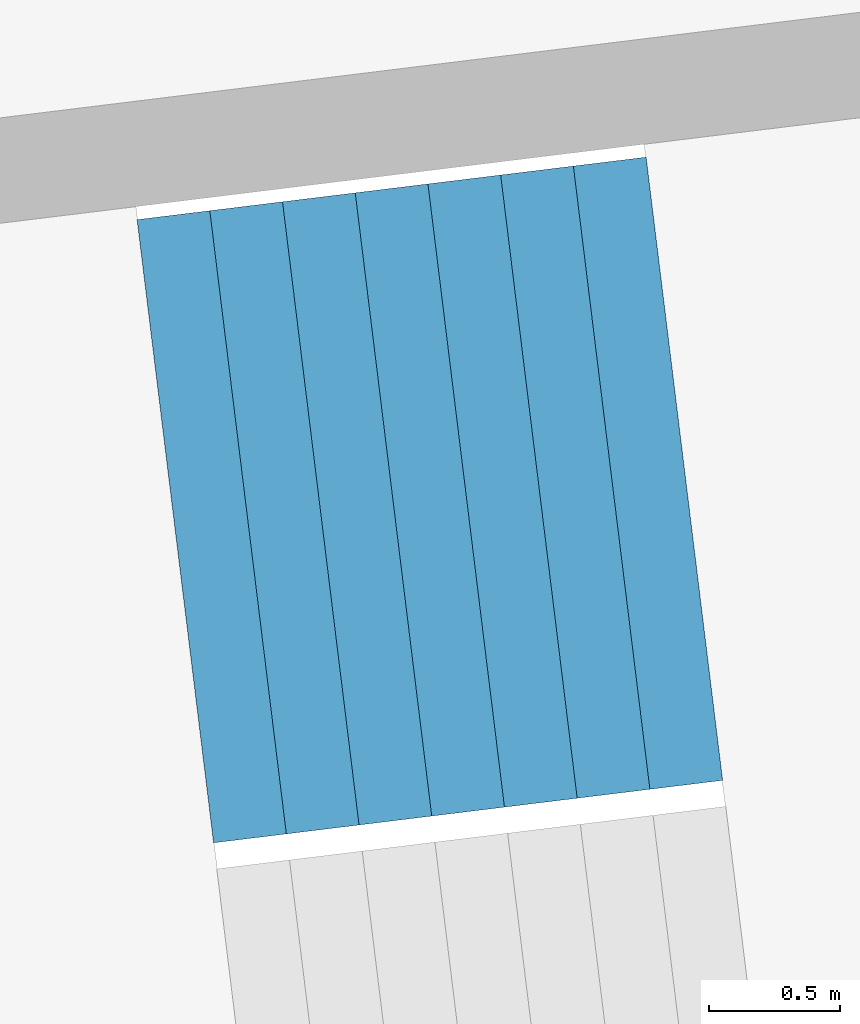
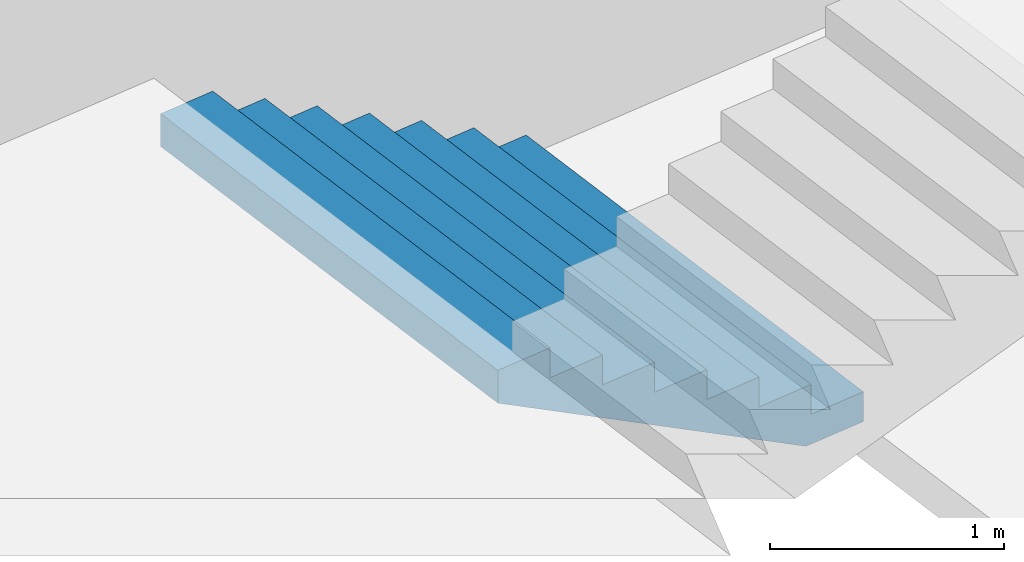
# One storey, part 25 of 73: 1 stair flight, 1 element without a shape of its own.
"""IFC4 building model written with IfcOpenShell, lengths in metres."""

from ifc_helpers import new_model, si_unit, direction, frame, origin, place, context, subcontext, project, spatial, triangles, material, type_object, element, aggregate, save


model = new_model("IFC4")

# Units and contexts
model_context = context("Model", 3, precision=1e-05, world=origin(), true_north=direction((0.0, 1.0)))
body_context = subcontext(model_context, "Body", "Model", "MODEL_VIEW")
ifc_project = project(units=[si_unit("LENGTHUNIT", "METRE"), si_unit("AREAUNIT", "SQUARE_METRE"), si_unit("VOLUMEUNIT", "CUBIC_METRE"), si_unit("PLANEANGLEUNIT", "RADIAN"), si_unit("MASSUNIT", "GRAM", prefix="KILO")], contexts=[model_context])

# Site, building, storey
site_placement = place(None, origin())
site = spatial("IfcSite", under=ifc_project, at=site_placement, CompositionType="ELEMENT")
building_placement = place(site_placement, origin())
building = spatial("IfcBuilding", under=site, at=building_placement, Name="Lantaw Convention Tower", CompositionType="ELEMENT")
storey_placement = place(building_placement, frame((0.0, 0.0, 22.0)))
storey = spatial("IfcBuildingStorey", under=building, at=storey_placement, Name="L03", CompositionType="ELEMENT", Elevation=22.0)

# Stair, stair flight
ifc_material = material(Name="Concrete C35/45", Category="concrete")
stair_type = type_object("IfcStairType", Name="Exit stair 2400 riser 156.25 in 4 flights", PredefinedType="HALF_TURN_STAIR", material=ifc_material)
stair_placement = place(storey_placement, origin())
stair = element("IfcStair", 1, at=stair_placement, inside=storey, type_object=stair_type, Name="Podium exit stair P10 L03", PredefinedType="HALF_TURN_STAIR")
stair_flight_type = type_object("IfcStairFlightType", Name="Stair flight 2400 riser 156.25", PredefinedType="STRAIGHT", material=ifc_material)
stair_flight_placement = place(storey_placement, frame((-35.162109375, -3.057861328125, 0.0), z_axis=(0.0, 0.0, 1.0), x_axis=(-0.992546151641, -0.121869343405, 0.0)))
stair_flight = element("IfcStairFlight", 2, at=stair_flight_placement, type_object=stair_flight_type, Name="P10 flight 1", NumberOfRisers=8, NumberOfTreads=7, PredefinedType="STRAIGHT", RiserHeight=0.15625, TreadLength=0.28, context=body_context, shape_type="Tessellation", body=[
    triangles([(0.0, 1.199951171875, 0.0), (0.0, 1.199951171875, 0.15625), (0.28, 1.199951171875, 0.0), (0.28, 1.199951171875, 0.15625), (0.28, 1.199951171875, 0.3125), (0.3076200632058044, 1.199951171875, 0.0), (0.3076200632058044, 1.199951171875, 0.3125), (0.56, 1.199951171875, 0.14083701830033238), (0.56, 1.199951171875, 0.3125), (0.56, 1.199951171875, 0.46875), (0.8400000000000001, 1.199951171875, 0.29708701830033235), (0.8400000000000001, 1.199951171875, 0.46875), (0.8400000000000001, 1.199951171875, 0.625), (1.12, 1.199951171875, 0.45333701830033235), (1.12, 1.199951171875, 0.625), (1.12, 1.199951171875, 0.78125), (1.4000000000000001, 1.199951171875, 0.6095870183003324), (1.4000000000000001, 1.199951171875, 0.78125), (1.4000000000000001, 1.199951171875, 0.9375), (1.6800000000000002, 1.199951171875, 0.7658370183003324), (1.6800000000000002, 1.199951171875, 0.9375), (1.6800000000000002, 1.199951171875, 1.09375), (1.9600000000000002, 1.199951171875, 0.9220870183003324), (1.9600000000000002, 1.199951171875, 1.09375), (0.0, -1.199951171875, 0.0), (0.0, -1.199951171875, 0.15625), (0.28, -1.199951171875, 0.0), (0.28, -1.199951171875, 0.15625), (0.28, -1.199951171875, 0.3125), (0.3076200632058044, -1.199951171875, 0.0), (0.3076200632058044, -1.199951171875, 0.3125), (0.56, -1.199951171875, 0.14083701830033238), (0.56, -1.199951171875, 0.3125), (0.56, -1.199951171875, 0.46875), (0.8400000000000001, -1.199951171875, 0.29708701830033235), (0.8400000000000001, -1.199951171875, 0.46875), (0.8400000000000001, -1.199951171875, 0.625), (1.12, -1.199951171875, 0.45333701830033235), (1.12, -1.199951171875, 0.625), (1.12, -1.199951171875, 0.78125), (1.4000000000000001, -1.199951171875, 0.6095870183003324), (1.4000000000000001, -1.199951171875, 0.78125), (1.4000000000000001, -1.199951171875, 0.9375), (1.6800000000000002, -1.199951171875, 0.7658370183003324), (1.6800000000000002, -1.199951171875, 0.9375), (1.6800000000000002, -1.199951171875, 1.09375), (1.9600000000000002, -1.199951171875, 0.9220870183003324), (1.9600000000000002, -1.199951171875, 1.09375), (0.0, 0.239990234375, 0.15625), (0.0, 0.239990234375, 0.0), (0.0, 0.1919921875, 0.15625), (0.0, 0.1919921875, 0.0), (0.0, 0.143994140625, 0.15625), (0.0, 0.143994140625, 0.0), (0.0, 0.09599609375, 0.15625), (0.0, 0.09599609375, 0.0), (0.0, 0.047998046875, 0.15625), (0.0, 0.047998046875, 0.0), (0.0, 0.0, 0.15625), (0.0, 0.0, 0.0), (0.0, -0.047998046875, 0.15625), (0.0, -0.047998046875, 0.0), (0.0, -0.09599609375, 0.15625), (0.0, -0.09599609375, 0.0), (0.0, -0.143994140625, 0.15625), (0.0, -0.143994140625, 0.0), (0.0, -0.1919921875, 0.15625), (0.0, -0.1919921875, 0.0), (0.0, -0.239990234375, 0.15625), (0.0, -0.239990234375, 0.0), (0.28, 0.239990234375, 0.3125), (0.28, 0.239990234375, 0.15625), (0.28, 0.1919921875, 0.3125), (0.28, 0.1919921875, 0.15625), (0.28, 0.143994140625, 0.3125), (0.28, 0.143994140625, 0.15625), (0.28, 0.09599609375, 0.3125), (0.28, 0.09599609375, 0.15625), (0.28, 0.047998046875, 0.3125), (0.28, 0.047998046875, 0.15625), (0.28, 0.0, 0.3125), (0.28, 0.0, 0.15625), (0.28, -0.047998046875, 0.3125), (0.28, -0.047998046875, 0.15625), (0.28, -0.09599609375, 0.3125), (0.28, -0.09599609375, 0.15625), (0.28, -0.143994140625, 0.3125), (0.28, -0.143994140625, 0.15625), (0.28, -0.1919921875, 0.3125), (0.28, -0.1919921875, 0.15625), (0.28, -0.239990234375, 0.3125), (0.28, -0.239990234375, 0.15625), (0.56, 0.239990234375, 0.46875), (0.56, 0.239990234375, 0.3125), (0.56, 0.1919921875, 0.46875), (0.56, 0.1919921875, 0.3125), (0.56, 0.143994140625, 0.46875), (0.56, 0.143994140625, 0.3125), (0.56, 0.09599609375, 0.46875), (0.56, 0.09599609375, 0.3125), (0.56, 0.047998046875, 0.46875), (0.56, 0.047998046875, 0.3125), (0.56, 0.0, 0.46875), (0.56, 0.0, 0.3125), (0.56, -0.047998046875, 0.46875), (0.56, -0.047998046875, 0.3125), (0.56, -0.09599609375, 0.46875), (0.56, -0.09599609375, 0.3125), (0.56, -0.143994140625, 0.46875), (0.56, -0.143994140625, 0.3125), (0.56, -0.1919921875, 0.46875), (0.56, -0.1919921875, 0.3125), (0.56, -0.239990234375, 0.46875), (0.56, -0.239990234375, 0.3125), (0.8400000000000001, 0.239990234375, 0.625), (0.8400000000000001, 0.239990234375, 0.46875), (0.8400000000000001, 0.1919921875, 0.625), (0.8400000000000001, 0.1919921875, 0.46875), (0.8400000000000001, 0.143994140625, 0.625), (0.8400000000000001, 0.143994140625, 0.46875), (0.8400000000000001, 0.09599609375, 0.625), (0.8400000000000001, 0.09599609375, 0.46875), (0.8400000000000001, 0.047998046875, 0.625), (0.8400000000000001, 0.047998046875, 0.46875), (0.8400000000000001, 0.0, 0.625), (0.8400000000000001, 0.0, 0.46875), (0.8400000000000001, -0.047998046875, 0.625), (0.8400000000000001, -0.047998046875, 0.46875), (0.8400000000000001, -0.09599609375, 0.625), (0.8400000000000001, -0.09599609375, 0.46875), (0.8400000000000001, -0.143994140625, 0.625), (0.8400000000000001, -0.143994140625, 0.46875), (0.8400000000000001, -0.1919921875, 0.625), (0.8400000000000001, -0.1919921875, 0.46875), (0.8400000000000001, -0.239990234375, 0.625), (0.8400000000000001, -0.239990234375, 0.46875), (1.12, 0.239990234375, 0.78125), (1.12, 0.239990234375, 0.625), (1.12, 0.1919921875, 0.78125), (1.12, 0.1919921875, 0.625), (1.12, 0.143994140625, 0.78125), (1.12, 0.143994140625, 0.625), (1.12, 0.09599609375, 0.78125), (1.12, 0.09599609375, 0.625), (1.12, 0.047998046875, 0.78125), (1.12, 0.047998046875, 0.625), (1.12, 0.0, 0.78125), (1.12, 0.0, 0.625), (1.12, -0.047998046875, 0.78125), (1.12, -0.047998046875, 0.625), (1.12, -0.09599609375, 0.78125), (1.12, -0.09599609375, 0.625), (1.12, -0.143994140625, 0.78125), (1.12, -0.143994140625, 0.625), (1.12, -0.1919921875, 0.78125), (1.12, -0.1919921875, 0.625), (1.12, -0.239990234375, 0.78125), (1.12, -0.239990234375, 0.625), (1.4000000000000001, 0.239990234375, 0.9375), (1.4000000000000001, 0.239990234375, 0.78125), (1.4000000000000001, 0.1919921875, 0.9375), (1.4000000000000001, 0.1919921875, 0.78125), (1.4000000000000001, 0.143994140625, 0.9375), (1.4000000000000001, 0.143994140625, 0.78125), (1.4000000000000001, 0.09599609375, 0.9375), (1.4000000000000001, 0.09599609375, 0.78125), (1.4000000000000001, 0.047998046875, 0.9375), (1.4000000000000001, 0.047998046875, 0.78125), (1.4000000000000001, 0.0, 0.9375), (1.4000000000000001, 0.0, 0.78125), (1.4000000000000001, -0.047998046875, 0.9375), (1.4000000000000001, -0.047998046875, 0.78125), (1.4000000000000001, -0.09599609375, 0.9375), (1.4000000000000001, -0.09599609375, 0.78125), (1.4000000000000001, -0.143994140625, 0.9375), (1.4000000000000001, -0.143994140625, 0.78125), (1.4000000000000001, -0.1919921875, 0.9375), (1.4000000000000001, -0.1919921875, 0.78125), (1.4000000000000001, -0.239990234375, 0.9375), (1.4000000000000001, -0.239990234375, 0.78125), (1.6800000000000002, 0.239990234375, 1.09375), (1.6800000000000002, 0.239990234375, 0.9375), (1.6800000000000002, 0.1919921875, 1.09375), (1.6800000000000002, 0.1919921875, 0.9375), (1.6800000000000002, 0.143994140625, 1.09375), (1.6800000000000002, 0.143994140625, 0.9375), (1.6800000000000002, 0.09599609375, 1.09375), (1.6800000000000002, 0.09599609375, 0.9375), (1.6800000000000002, 0.047998046875, 1.09375), (1.6800000000000002, 0.047998046875, 0.9375), (1.6800000000000002, 0.0, 1.09375), (1.6800000000000002, 0.0, 0.9375), (1.6800000000000002, -0.047998046875, 1.09375), (1.6800000000000002, -0.047998046875, 0.9375), (1.6800000000000002, -0.09599609375, 1.09375), (1.6800000000000002, -0.09599609375, 0.9375), (1.6800000000000002, -0.143994140625, 1.09375), (1.6800000000000002, -0.143994140625, 0.9375), (1.6800000000000002, -0.1919921875, 1.09375), (1.6800000000000002, -0.1919921875, 0.9375), (1.6800000000000002, -0.239990234375, 1.09375), (1.6800000000000002, -0.239990234375, 0.9375), (0.3076200632058044, 0.239990234375, 0.3125), (0.3076200632058044, 0.1919921875, 0.3125), (0.3076200632058044, 0.143994140625, 0.3125), (0.3076200632058044, 0.09599609375, 0.3125), (0.3076200632058044, 0.047998046875, 0.3125), (0.3076200632058044, 0.0, 0.3125), (0.3076200632058044, -0.047998046875, 0.3125), (0.3076200632058044, -0.09599609375, 0.3125), (0.3076200632058044, -0.143994140625, 0.3125), (0.3076200632058044, -0.1919921875, 0.3125), (0.3076200632058044, -0.239990234375, 0.3125), (1.9600000000000002, 0.239990234375, 1.09375), (1.9600000000000002, 0.1919921875, 1.09375), (1.9600000000000002, 0.143994140625, 1.09375), (1.9600000000000002, 0.09599609375, 1.09375), (1.9600000000000002, 0.047998046875, 1.09375), (1.9600000000000002, 0.0, 1.09375), (1.9600000000000002, -0.047998046875, 1.09375), (1.9600000000000002, -0.09599609375, 1.09375), (1.9600000000000002, -0.143994140625, 1.09375), (1.9600000000000002, -0.1919921875, 1.09375), (1.9600000000000002, -0.239990234375, 1.09375), (1.9600000000000002, 0.239990234375, 0.9220870183003324), (1.9600000000000002, 0.1919921875, 0.9220870183003324), (1.9600000000000002, 0.143994140625, 0.9220870183003324), (1.9600000000000002, 0.09599609375, 0.9220870183003324), (1.9600000000000002, 0.047998046875, 0.9220870183003324), (1.9600000000000002, 0.0, 0.9220870183003324), (1.9600000000000002, -0.047998046875, 0.9220870183003324), (1.9600000000000002, -0.09599609375, 0.9220870183003324), (1.9600000000000002, -0.143994140625, 0.9220870183003324), (1.9600000000000002, -0.1919921875, 0.9220870183003324), (1.9600000000000002, -0.239990234375, 0.9220870183003324), (1.6800000000000002, 0.239990234375, 0.7658370183003324), (1.6800000000000002, 0.1919921875, 0.7658370183003324), (1.6800000000000002, 0.143994140625, 0.7658370183003324), (1.6800000000000002, 0.09599609375, 0.7658370183003324), (1.6800000000000002, 0.047998046875, 0.7658370183003324), (1.6800000000000002, 0.0, 0.7658370183003324), (1.6800000000000002, -0.047998046875, 0.7658370183003324), (1.6800000000000002, -0.09599609375, 0.7658370183003324), (1.6800000000000002, -0.143994140625, 0.7658370183003324), (1.6800000000000002, -0.1919921875, 0.7658370183003324), (1.6800000000000002, -0.239990234375, 0.7658370183003324), (1.4000000000000001, 0.239990234375, 0.6095870183003324), (1.4000000000000001, 0.1919921875, 0.6095870183003324), (1.4000000000000001, 0.143994140625, 0.6095870183003324), (1.4000000000000001, 0.09599609375, 0.6095870183003324), (1.4000000000000001, 0.047998046875, 0.6095870183003324), (1.4000000000000001, 0.0, 0.6095870183003324), (1.4000000000000001, -0.047998046875, 0.6095870183003324), (1.4000000000000001, -0.09599609375, 0.6095870183003324), (1.4000000000000001, -0.143994140625, 0.6095870183003324), (1.4000000000000001, -0.1919921875, 0.6095870183003324), (1.4000000000000001, -0.239990234375, 0.6095870183003324), (1.12, 0.239990234375, 0.45333701830033235), (1.12, 0.1919921875, 0.45333701830033235), (1.12, 0.143994140625, 0.45333701830033235), (1.12, 0.09599609375, 0.45333701830033235), (1.12, 0.047998046875, 0.45333701830033235), (1.12, 0.0, 0.45333701830033235), (1.12, -0.047998046875, 0.45333701830033235), (1.12, -0.09599609375, 0.45333701830033235), (1.12, -0.143994140625, 0.45333701830033235), (1.12, -0.1919921875, 0.45333701830033235), (1.12, -0.239990234375, 0.45333701830033235), (0.8400000000000001, 0.239990234375, 0.29708701830033235), (0.8400000000000001, 0.1919921875, 0.29708701830033235), (0.8400000000000001, 0.143994140625, 0.29708701830033235), (0.8400000000000001, 0.09599609375, 0.29708701830033235), (0.8400000000000001, 0.047998046875, 0.29708701830033235), (0.8400000000000001, 0.0, 0.29708701830033235), (0.8400000000000001, -0.047998046875, 0.29708701830033235), (0.8400000000000001, -0.09599609375, 0.29708701830033235), (0.8400000000000001, -0.143994140625, 0.29708701830033235), (0.8400000000000001, -0.1919921875, 0.29708701830033235), (0.8400000000000001, -0.239990234375, 0.29708701830033235), (0.56, 0.239990234375, 0.14083701830033238), (0.56, 0.1919921875, 0.14083701830033238), (0.56, 0.143994140625, 0.14083701830033238), (0.56, 0.09599609375, 0.14083701830033238), (0.56, 0.047998046875, 0.14083701830033238), (0.56, 0.0, 0.14083701830033238), (0.56, -0.047998046875, 0.14083701830033238), (0.56, -0.09599609375, 0.14083701830033238), (0.56, -0.143994140625, 0.14083701830033238), (0.56, -0.1919921875, 0.14083701830033238), (0.56, -0.239990234375, 0.14083701830033238), (0.3076200632058044, 0.239990234375, 0.0), (0.3076200632058044, 0.1919921875, 0.0), (0.3076200632058044, 0.143994140625, 0.0), (0.3076200632058044, 0.09599609375, 0.0), (0.3076200632058044, 0.047998046875, 0.0), (0.3076200632058044, 0.0, 0.0), (0.3076200632058044, -0.047998046875, 0.0), (0.3076200632058044, -0.09599609375, 0.0), (0.3076200632058044, -0.143994140625, 0.0), (0.3076200632058044, -0.1919921875, 0.0), (0.3076200632058044, -0.239990234375, 0.0), (0.28, 0.239990234375, 0.0), (0.28, 0.1919921875, 0.0), (0.28, 0.143994140625, 0.0), (0.28, 0.09599609375, 0.0), (0.28, 0.047998046875, 0.0), (0.28, 0.0, 0.0), (0.28, -0.047998046875, 0.0), (0.28, -0.09599609375, 0.0), (0.28, -0.143994140625, 0.0), (0.28, -0.1919921875, 0.0), (0.28, -0.239990234375, 0.0)], [[1, 4, 3], [1, 2, 4], [3, 4, 6], [4, 7, 6], [4, 5, 7], [6, 9, 8], [6, 7, 9], [8, 9, 11], [9, 12, 11], [9, 10, 12], [11, 12, 14], [12, 15, 14], [12, 13, 15], [14, 15, 17], [15, 18, 17], [15, 16, 18], [17, 18, 20], [18, 21, 20], [18, 19, 21], [20, 21, 23], [21, 24, 23], [21, 22, 24], [25, 27, 28], [25, 28, 26], [27, 30, 28], [28, 30, 31], [28, 31, 29], [30, 32, 33], [30, 33, 31], [32, 35, 33], [33, 35, 36], [33, 36, 34], [35, 38, 36], [36, 38, 39], [36, 39, 37], [38, 41, 39], [39, 41, 42], [39, 42, 40], [41, 44, 42], [42, 44, 45], [42, 45, 43], [44, 47, 45], [45, 47, 48], [45, 48, 46], [1, 49, 2], [1, 50, 49], [50, 51, 49], [50, 52, 51], [52, 53, 51], [52, 54, 53], [54, 55, 53], [54, 56, 55], [56, 57, 55], [56, 58, 57], [58, 59, 57], [58, 60, 59], [60, 61, 59], [60, 62, 61], [62, 63, 61], [62, 64, 63], [64, 65, 63], [64, 66, 65], [66, 67, 65], [66, 68, 67], [68, 69, 67], [68, 70, 69], [70, 26, 69], [70, 25, 26], [4, 71, 5], [4, 72, 71], [72, 73, 71], [72, 74, 73], [74, 75, 73], [74, 76, 75], [76, 77, 75], [76, 78, 77], [78, 79, 77], [78, 80, 79], [80, 81, 79], [80, 82, 81], [82, 83, 81], [82, 84, 83], [84, 85, 83], [84, 86, 85], [86, 87, 85], [86, 88, 87], [88, 89, 87], [88, 90, 89], [90, 91, 89], [90, 92, 91], [92, 29, 91], [92, 28, 29], [9, 93, 10], [9, 94, 93], [94, 95, 93], [94, 96, 95], [96, 97, 95], [96, 98, 97], [98, 99, 97], [98, 100, 99], [100, 101, 99], [100, 102, 101], [102, 103, 101], [102, 104, 103], [104, 105, 103], [104, 106, 105], [106, 107, 105], [106, 108, 107], [108, 109, 107], [108, 110, 109], [110, 111, 109], [110, 112, 111], [112, 113, 111], [112, 114, 113], [114, 34, 113], [114, 33, 34], [12, 115, 13], [12, 116, 115], [116, 117, 115], [116, 118, 117], [118, 119, 117], [118, 120, 119], [120, 121, 119], [120, 122, 121], [122, 123, 121], [122, 124, 123], [124, 125, 123], [124, 126, 125], [126, 127, 125], [126, 128, 127], [128, 129, 127], [128, 130, 129], [130, 131, 129], [130, 132, 131], [132, 133, 131], [132, 134, 133], [134, 135, 133], [134, 136, 135], [136, 37, 135], [136, 36, 37], [15, 137, 16], [15, 138, 137], [138, 139, 137], [138, 140, 139], [140, 141, 139], [140, 142, 141], [142, 143, 141], [142, 144, 143], [144, 145, 143], [144, 146, 145], [146, 147, 145], [146, 148, 147], [148, 149, 147], [148, 150, 149], [150, 151, 149], [150, 152, 151], [152, 153, 151], [152, 154, 153], [154, 155, 153], [154, 156, 155], [156, 157, 155], [156, 158, 157], [158, 40, 157], [158, 39, 40], [18, 159, 19], [18, 160, 159], [160, 161, 159], [160, 162, 161], [162, 163, 161], [162, 164, 163], [164, 165, 163], [164, 166, 165], [166, 167, 165], [166, 168, 167], [168, 169, 167], [168, 170, 169], [170, 171, 169], [170, 172, 171], [172, 173, 171], [172, 174, 173], [174, 175, 173], [174, 176, 175], [176, 177, 175], [176, 178, 177], [178, 179, 177], [178, 180, 179], [180, 43, 179], [180, 42, 43], [21, 181, 22], [21, 182, 181], [182, 183, 181], [182, 184, 183], [184, 185, 183], [184, 186, 185], [186, 187, 185], [186, 188, 187], [188, 189, 187], [188, 190, 189], [190, 191, 189], [190, 192, 191], [192, 193, 191], [192, 194, 193], [194, 195, 193], [194, 196, 195], [196, 197, 195], [196, 198, 197], [198, 199, 197], [198, 200, 199], [200, 201, 199], [200, 202, 201], [202, 46, 201], [202, 45, 46], [2, 72, 4], [2, 49, 72], [49, 74, 72], [49, 51, 74], [51, 76, 74], [51, 53, 76], [53, 78, 76], [53, 55, 78], [55, 80, 78], [55, 57, 80], [57, 82, 80], [57, 59, 82], [59, 84, 82], [59, 61, 84], [61, 86, 84], [61, 63, 86], [63, 88, 86], [63, 65, 88], [65, 90, 88], [65, 67, 90], [67, 92, 90], [67, 69, 92], [69, 28, 92], [69, 26, 28], [5, 203, 7], [5, 71, 203], [71, 204, 203], [71, 73, 204], [73, 205, 204], [73, 75, 205], [75, 206, 205], [75, 77, 206], [77, 207, 206], [77, 79, 207], [79, 208, 207], [79, 81, 208], [81, 209, 208], [81, 83, 209], [83, 210, 209], [83, 85, 210], [85, 211, 210], [85, 87, 211], [87, 212, 211], [87, 89, 212], [89, 213, 212], [89, 91, 213], [91, 31, 213], [91, 29, 31], [7, 94, 9], [7, 203, 94], [203, 96, 94], [203, 204, 96], [204, 98, 96], [204, 205, 98], [205, 100, 98], [205, 206, 100], [206, 102, 100], [206, 207, 102], [207, 104, 102], [207, 208, 104], [208, 106, 104], [208, 209, 106], [209, 108, 106], [209, 210, 108], [210, 110, 108], [210, 211, 110], [211, 112, 110], [211, 212, 112], [212, 114, 112], [212, 213, 114], [213, 33, 114], [213, 31, 33], [10, 116, 12], [10, 93, 116], [93, 118, 116], [93, 95, 118], [95, 120, 118], [95, 97, 120], [97, 122, 120], [97, 99, 122], [99, 124, 122], [99, 101, 124], [101, 126, 124], [101, 103, 126], [103, 128, 126], [103, 105, 128], [105, 130, 128], [105, 107, 130], [107, 132, 130], [107, 109, 132], [109, 134, 132], [109, 111, 134], [111, 136, 134], [111, 113, 136], [113, 36, 136], [113, 34, 36], [13, 138, 15], [13, 115, 138], [115, 140, 138], [115, 117, 140], [117, 142, 140], [117, 119, 142], [119, 144, 142], [119, 121, 144], [121, 146, 144], [121, 123, 146], [123, 148, 146], [123, 125, 148], [125, 150, 148], [125, 127, 150], [127, 152, 150], [127, 129, 152], [129, 154, 152], [129, 131, 154], [131, 156, 154], [131, 133, 156], [133, 158, 156], [133, 135, 158], [135, 39, 158], [135, 37, 39], [16, 160, 18], [16, 137, 160], [137, 162, 160], [137, 139, 162], [139, 164, 162], [139, 141, 164], [141, 166, 164], [141, 143, 166], [143, 168, 166], [143, 145, 168], [145, 170, 168], [145, 147, 170], [147, 172, 170], [147, 149, 172], [149, 174, 172], [149, 151, 174], [151, 176, 174], [151, 153, 176], [153, 178, 176], [153, 155, 178], [155, 180, 178], [155, 157, 180], [157, 42, 180], [157, 40, 42], [19, 182, 21], [19, 159, 182], [159, 184, 182], [159, 161, 184], [161, 186, 184], [161, 163, 186], [163, 188, 186], [163, 165, 188], [165, 190, 188], [165, 167, 190], [167, 192, 190], [167, 169, 192], [169, 194, 192], [169, 171, 194], [171, 196, 194], [171, 173, 196], [173, 198, 196], [173, 175, 198], [175, 200, 198], [175, 177, 200], [177, 202, 200], [177, 179, 202], [179, 45, 202], [179, 43, 45], [22, 214, 24], [22, 181, 214], [181, 215, 214], [181, 183, 215], [183, 216, 215], [183, 185, 216], [185, 217, 216], [185, 187, 217], [187, 218, 217], [187, 189, 218], [189, 219, 218], [189, 191, 219], [191, 220, 219], [191, 193, 220], [193, 221, 220], [193, 195, 221], [195, 222, 221], [195, 197, 222], [197, 223, 222], [197, 199, 223], [199, 224, 223], [199, 201, 224], [201, 48, 224], [201, 46, 48], [24, 225, 23], [24, 214, 225], [214, 226, 225], [214, 215, 226], [215, 227, 226], [215, 216, 227], [216, 228, 227], [216, 217, 228], [217, 229, 228], [217, 218, 229], [218, 230, 229], [218, 219, 230], [219, 231, 230], [219, 220, 231], [220, 232, 231], [220, 221, 232], [221, 233, 232], [221, 222, 233], [222, 234, 233], [222, 223, 234], [223, 235, 234], [223, 224, 235], [224, 47, 235], [224, 48, 47], [23, 236, 20], [23, 225, 236], [225, 237, 236], [225, 226, 237], [226, 238, 237], [226, 227, 238], [227, 239, 238], [227, 228, 239], [228, 240, 239], [228, 229, 240], [229, 241, 240], [229, 230, 241], [230, 242, 241], [230, 231, 242], [231, 243, 242], [231, 232, 243], [232, 244, 243], [232, 233, 244], [233, 245, 244], [233, 234, 245], [234, 246, 245], [234, 235, 246], [235, 44, 246], [235, 47, 44], [20, 247, 17], [20, 236, 247], [236, 248, 247], [236, 237, 248], [237, 249, 248], [237, 238, 249], [238, 250, 249], [238, 239, 250], [239, 251, 250], [239, 240, 251], [240, 252, 251], [240, 241, 252], [241, 253, 252], [241, 242, 253], [242, 254, 253], [242, 243, 254], [243, 255, 254], [243, 244, 255], [244, 256, 255], [244, 245, 256], [245, 257, 256], [245, 246, 257], [246, 41, 257], [246, 44, 41], [17, 258, 14], [17, 247, 258], [247, 259, 258], [247, 248, 259], [248, 260, 259], [248, 249, 260], [249, 261, 260], [249, 250, 261], [250, 262, 261], [250, 251, 262], [251, 263, 262], [251, 252, 263], [252, 264, 263], [252, 253, 264], [253, 265, 264], [253, 254, 265], [254, 266, 265], [254, 255, 266], [255, 267, 266], [255, 256, 267], [256, 268, 267], [256, 257, 268], [257, 38, 268], [257, 41, 38], [14, 269, 11], [14, 258, 269], [258, 270, 269], [258, 259, 270], [259, 271, 270], [259, 260, 271], [260, 272, 271], [260, 261, 272], [261, 273, 272], [261, 262, 273], [262, 274, 273], [262, 263, 274], [263, 275, 274], [263, 264, 275], [264, 276, 275], [264, 265, 276], [265, 277, 276], [265, 266, 277], [266, 278, 277], [266, 267, 278], [267, 279, 278], [267, 268, 279], [268, 35, 279], [268, 38, 35], [11, 280, 8], [11, 269, 280], [269, 281, 280], [269, 270, 281], [270, 282, 281], [270, 271, 282], [271, 283, 282], [271, 272, 283], [272, 284, 283], [272, 273, 284], [273, 285, 284], [273, 274, 285], [274, 286, 285], [274, 275, 286], [275, 287, 286], [275, 276, 287], [276, 288, 287], [276, 277, 288], [277, 289, 288], [277, 278, 289], [278, 290, 289], [278, 279, 290], [279, 32, 290], [279, 35, 32], [8, 291, 6], [8, 280, 291], [280, 292, 291], [280, 281, 292], [281, 293, 292], [281, 282, 293], [282, 294, 293], [282, 283, 294], [283, 295, 294], [283, 284, 295], [284, 296, 295], [284, 285, 296], [285, 297, 296], [285, 286, 297], [286, 298, 297], [286, 287, 298], [287, 299, 298], [287, 288, 299], [288, 300, 299], [288, 289, 300], [289, 301, 300], [289, 290, 301], [290, 30, 301], [290, 32, 30], [6, 302, 3], [6, 291, 302], [291, 303, 302], [291, 292, 303], [292, 304, 303], [292, 293, 304], [293, 305, 304], [293, 294, 305], [294, 306, 305], [294, 295, 306], [295, 307, 306], [295, 296, 307], [296, 308, 307], [296, 297, 308], [297, 309, 308], [297, 298, 309], [298, 310, 309], [298, 299, 310], [299, 311, 310], [299, 300, 311], [300, 312, 311], [300, 301, 312], [301, 27, 312], [301, 30, 27], [3, 50, 1], [3, 302, 50], [302, 52, 50], [302, 303, 52], [303, 54, 52], [303, 304, 54], [304, 56, 54], [304, 305, 56], [305, 58, 56], [305, 306, 58], [306, 60, 58], [306, 307, 60], [307, 62, 60], [307, 308, 62], [308, 64, 62], [308, 309, 64], [309, 66, 64], [309, 310, 66], [310, 68, 66], [310, 311, 68], [311, 70, 68], [311, 312, 70], [312, 25, 70], [312, 27, 25]], closed=True),
])
aggregate(stair, [stair_flight])

save(model, "model.ifc")
